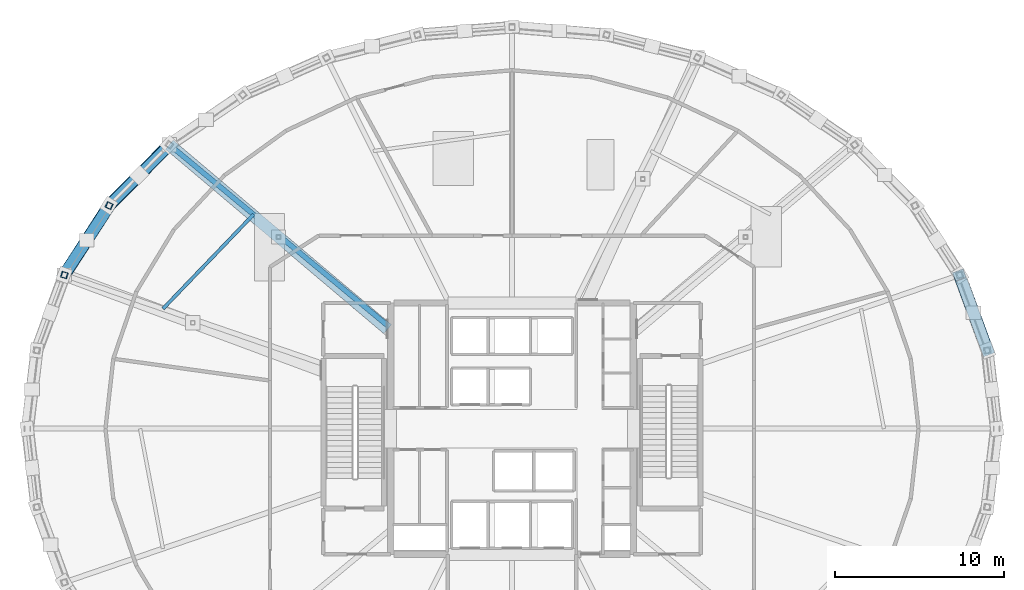
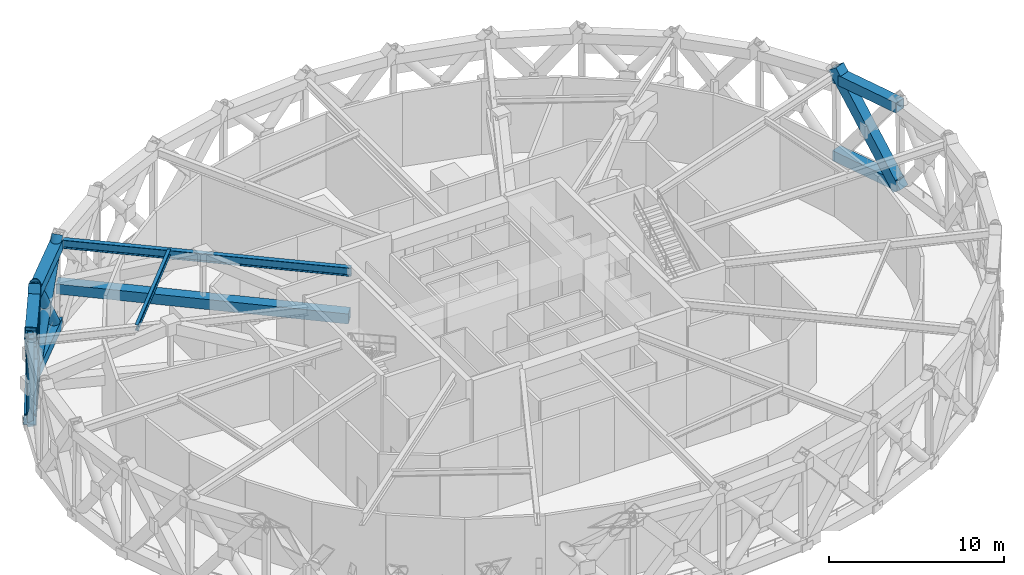
# One storey, part 4 of 15: 9 beams, 9 members.
"""IFC4 building model written with IfcOpenShell, lengths in metres."""

import ifcopenshell
import ifcopenshell.guid

model = None  # the IFC model being written
_history = None  # IfcOwnerHistory: only IFC2X3 demands one
_inside = {}  # id of a spatial element -> (the spatial element, [elements in it])
_under = {}  # id of a project, library or spatial element -> (it, [spatial elements below it])
_declared = {}  # id of a project -> (the project, [libraries it declares])
_typed = {}  # id of a type object -> (the type object, [elements of that type])
_made_of = {}  # id of a material, layer set ... -> (it, [elements and type objects made of it])


def new_model(schema):
    """Start an empty IFC model of exactly this schema.

    Asked for "IFC4X3", IfcOpenShell would pick the latest addendum, in which some entities
    have other attributes; the version numbers below select the first issue.
    IFC2X3 requires an IfcOwnerHistory on every rooted entity: one is made here for all.
    """
    global model, _history
    if schema == "IFC4X3":
        model = ifcopenshell.file(schema_version=(4, 3, 0, 0))
    else:
        model = ifcopenshell.file(schema=schema)
    _inside.clear()
    _under.clear()
    _declared.clear()
    _typed.clear()
    _made_of.clear()
    _history = None
    if model.schema == "IFC2X3":
        org = make("IfcOrganization", Name="unknown")
        user = make(
            "IfcPersonAndOrganization",
            ThePerson=make("IfcPerson", FamilyName="unknown"),
            TheOrganization=org,
        )
        app = make(
            "IfcApplication",
            ApplicationDeveloper=org,
            Version="unknown",
            ApplicationFullName="unknown",
            ApplicationIdentifier="unknown",
        )
        _history = make(
            "IfcOwnerHistory",
            OwningUser=user,
            OwningApplication=app,
            ChangeAction="ADDED",
            CreationDate=0,
        )
    return model


def make(cls, **values):
    """One entity of the class cls with the attributes given. An attribute that is None is left unset."""
    return model.create_entity(
        cls, **{name: value for name, value in values.items() if value is not None}
    )


def rooted(cls, **values):
    """An entity with a GlobalId (a new one), such as an element, a storey or a relation."""
    return make(cls, GlobalId=ifcopenshell.guid.new(), OwnerHistory=_history, **values)


def si_unit(unit_type, name, prefix=None):
    """IfcSIUnit, for example si_unit("LENGTHUNIT", "METRE", prefix="MILLI")."""
    return make("IfcSIUnit", UnitType=unit_type, Prefix=prefix, Name=name)


def assignment(units):
    """IfcUnitAssignment: the units of a project."""
    return None if units is None else make("IfcUnitAssignment", Units=units)


def point(xyz):
    """IfcCartesianPoint."""
    return None if xyz is None else make("IfcCartesianPoint", Coordinates=xyz)


def direction(xyz):
    """IfcDirection."""
    return None if xyz is None else make("IfcDirection", DirectionRatios=xyz)


def frame(location, z_axis=None, x_axis=None):
    """IfcAxis2Placement3D, a coordinate frame: its origin and axes. An axis left out is left unset."""
    return make(
        "IfcAxis2Placement3D",
        Location=point(location),
        Axis=direction(z_axis),
        RefDirection=direction(x_axis),
    )


def frame_2d(location, x_axis=None):
    """IfcAxis2Placement2D, a coordinate frame in the plane: its origin and x axis."""
    return make(
        "IfcAxis2Placement2D", Location=point(location), RefDirection=direction(x_axis)
    )


def origin():
    """The frame at (0, 0, 0) with its axes left unset."""
    return frame((0.0, 0.0, 0.0))


def origin_2d():
    """The frame at (0, 0) in the plane with its x axis left unset."""
    return frame_2d((0.0, 0.0))


def place(relative_to, where):
    """IfcLocalPlacement: puts the frame where relative to a parent placement (None: the world)."""
    return make(
        "IfcLocalPlacement", PlacementRelTo=relative_to, RelativePlacement=where
    )


def context(
    kind, dimensions, precision=None, world=None, true_north=None, identifier=None
):
    """IfcGeometricRepresentationContext, for example the 3D "Model" context."""
    return make(
        "IfcGeometricRepresentationContext",
        ContextIdentifier=identifier,
        ContextType=kind,
        CoordinateSpaceDimension=dimensions,
        Precision=precision,
        WorldCoordinateSystem=world,
        TrueNorth=true_north,
    )


def subcontext(parent, identifier, kind, view, scale=None):
    """IfcGeometricRepresentationSubContext, for example "Body" below "Model"."""
    return make(
        "IfcGeometricRepresentationSubContext",
        ContextIdentifier=identifier,
        ContextType=kind,
        ParentContext=parent,
        TargetScale=scale,
        TargetView=view,
    )


def project(units=None, contexts=None):
    """IfcProject with its units and contexts."""
    return rooted(
        "IfcProject",
        Name="project",
        RepresentationContexts=contexts,
        UnitsInContext=assignment(units),
    )


def spatial(cls, under=None, at=None, **own):
    """A site, building, storey or space (cls), placed at a placement, below another one or the project."""
    s = rooted(cls, ObjectPlacement=at, **own)
    if under is not None:
        _under.setdefault(under.id(), (under, []))[1].append(s)
    return s


def profile(cls, at=None, kind="AREA", **sizes):
    """A parametric profile (cls). Its sizes go by their IFC names, for example OverallWidth=200.0."""
    return make(cls, ProfileType=kind, Position=at, **sizes)


def hollow_rectangle(**sizes):
    """IfcRectangleHollowProfileDef."""
    return profile("IfcRectangleHollowProfileDef", **sizes)


def hollow_circle(**sizes):
    """IfcCircleHollowProfileDef."""
    return profile("IfcCircleHollowProfileDef", **sizes)


def i_section(**sizes):
    """IfcIShapeProfileDef."""
    return profile("IfcIShapeProfileDef", **sizes)


def extrude(swept, where, along, depth):
    """IfcExtrudedAreaSolid: the profile swept, set in the frame where, extruded along a direction by depth."""
    return make(
        "IfcExtrudedAreaSolid",
        SweptArea=swept,
        Position=where,
        ExtrudedDirection=direction(along),
        Depth=depth,
    )


def shape(context_of_items, identifier, shape_type, items):
    """IfcShapeRepresentation: the items that make up one representation, for example the "Body"."""
    return make(
        "IfcShapeRepresentation",
        ContextOfItems=context_of_items,
        RepresentationIdentifier=identifier,
        RepresentationType=shape_type,
        Items=items,
    )


def material(Name=None, Category=None):
    """IfcMaterial."""
    return make("IfcMaterial", Name=Name, Category=Category)


def material_profile(
    of_material, cross_section, Name=None, Category=None, Priority=None
):
    """IfcMaterialProfile: a cross section and its material."""
    return make(
        "IfcMaterialProfile",
        Name=Name,
        Material=of_material,
        Profile=cross_section,
        Priority=Priority,
        Category=Category,
    )


def profile_set(profiles, Name=None, composite=None):
    """IfcMaterialProfileSet."""
    return make(
        "IfcMaterialProfileSet",
        Name=Name,
        MaterialProfiles=profiles,
        CompositeProfile=composite,
    )


def made_of(thing, what):
    """Note that an element or type object is made of a material, layer set ...; save() writes the relation."""
    if what is not None:
        _made_of.setdefault(what.id(), (what, []))[1].append(thing)
    return thing


def type_object(cls, material=None, **own):
    """A type object (cls), such as IfcWallType, which elements share."""
    return made_of(rooted(cls, **own), material)


def element(
    cls,
    number,
    at=None,
    inside=None,
    cuts=None,
    type_object=None,
    material=None,
    context=None,
    identifier="Body",
    shape_type=None,
    held_by="IfcProductDefinitionShape",
    body=None,
    shapes=None,
    **own,
):
    """One element of the class cls, such as IfcWall. Its Tag is "e" and its number.

    at: its placement. inside: the storey or other place that contains it. cuts: it is an
    opening in that element (IfcRelVoidsElement). A single representation is given by context,
    identifier, shape_type and body (its items); several are given by shapes. held_by: the class
    of the entity that holds the representations. save() writes the other relations.
    """
    e = rooted(cls, Tag="e%d" % number, ObjectPlacement=at, **own)
    if body is not None:
        shapes = [shape(context, identifier, shape_type, body)]
    if shapes is not None:
        e.Representation = make(held_by, Representations=shapes)
    if inside is not None:
        _inside.setdefault(inside.id(), (inside, []))[1].append(e)
    if cuts is not None:
        rooted(
            "IfcRelVoidsElement", RelatingBuildingElement=cuts, RelatedOpeningElement=e
        )
    if type_object is not None:
        _typed.setdefault(type_object.id(), (type_object, []))[1].append(e)
    return made_of(e, material)


def aggregate(whole, parts):
    """IfcRelAggregates: a whole, such as a stair, and the parts it consists of."""
    return rooted("IfcRelAggregates", RelatingObject=whole, RelatedObjects=parts)


def save(model, path):
    """Write the relations noted so far, then the file.

    IfcRelAggregates (storeys below a building ...), IfcRelContainedInSpatialStructure (elements
    in a storey), IfcRelDefinesByType, IfcRelAssociatesMaterial and IfcRelDeclares: one each for
    every whole, place, type object, material and project.
    """
    for whole, parts in _under.values():
        aggregate(whole, parts)
    for where, things in _inside.values():
        rooted(
            "IfcRelContainedInSpatialStructure",
            RelatedElements=things,
            RelatingStructure=where,
        )
    for kind, things in _typed.values():
        rooted("IfcRelDefinesByType", RelatedObjects=things, RelatingType=kind)
    for what, things in _made_of.values():
        rooted("IfcRelAssociatesMaterial", RelatedObjects=things, RelatingMaterial=what)
    for by, libraries in _declared.values():
        rooted("IfcRelDeclares", RelatingContext=by, RelatedDefinitions=libraries)
    model.write(path)


model = new_model("IFC4")

# Units and contexts
model_context = context("Model", 3, precision=1e-05, world=origin(), true_north=direction((0.0, 1.0)))
body_context = subcontext(model_context, "Body", "Model", "MODEL_VIEW")
ifc_project = project(units=[si_unit("LENGTHUNIT", "METRE"), si_unit("AREAUNIT", "SQUARE_METRE"), si_unit("VOLUMEUNIT", "CUBIC_METRE"), si_unit("PLANEANGLEUNIT", "RADIAN"), si_unit("MASSUNIT", "GRAM", prefix="KILO")], contexts=[model_context])

# Site, building, storey
site_placement = place(None, origin())
site = spatial("IfcSite", under=ifc_project, at=site_placement, CompositionType="ELEMENT")
building_placement = place(site_placement, origin())
building = spatial("IfcBuilding", under=site, at=building_placement, Name="Veldorina Hangang Commons", CompositionType="ELEMENT")
storey_placement = place(building_placement, frame((0.0, 0.0, 110.800048828125)))
storey = spatial("IfcBuildingStorey", under=building, at=storey_placement, Name="L28", CompositionType="ELEMENT", Elevation=110.800048828125)

# Beams
ifc_material_1 = material(Name="Steel SM460-TMC", Category="steel")
ifc_material_profile_1 = material_profile(ifc_material_1, hollow_rectangle(XDim=0.699951171875, YDim=0.699951171875, WallThickness=0.034912109375, at=origin_2d()), Name="BOX-700x700x35")
ifc_profile_set_1 = profile_set([ifc_material_profile_1], Name="Steel SM460-TMC")
beam_type_1 = type_object("IfcBeamType", Name="BM-BLT700", PredefinedType="BEAM", material=ifc_profile_set_1)
beam_1_placement = place(storey_placement, frame((60.158447265625, 28.642578125, 5.800048828125), z_axis=(-0.343688691321, 0.939083640289, 0.0), x_axis=(-0.939083640289, -0.343688691321, 0.0)))
element("IfcBeam", 1, at=beam_1_placement, inside=storey, type_object=beam_type_1, Name="L28 perimeter hoop ring beam 01", PredefinedType="BEAM", context=body_context, shape_type="SweptSolid", body=[
    extrude(hollow_rectangle(XDim=0.699951171875, YDim=0.699951171875, WallThickness=0.034912109375, at=origin_2d()), origin(), (0.0, 0.0, 1.0), 4.753662109375),
])
beam_2_placement = place(storey_placement, frame((11.69873046875, 40.8271484375, 5.800048828125), z_axis=(-0.703561848437, -0.710634030584, 0.0), x_axis=(0.710634030584, -0.703561848437, 0.0)))
element("IfcBeam", 2, at=beam_2_placement, inside=storey, type_object=beam_type_1, Name="L28 perimeter hoop ring beam 12", PredefinedType="BEAM", context=body_context, shape_type="SweptSolid", body=[
    extrude(hollow_rectangle(XDim=0.699951171875, YDim=0.699951171875, WallThickness=0.034912109375, at=origin_2d()), origin(), (0.0, 0.0, 1.0), 5.07470703125),
])
beam_3_placement = place(storey_placement, frame((8.12841796875, 37.220947265625, 5.800048828125), z_axis=(-0.541941702244, -0.840416082288, 0.0), x_axis=(0.840416082288, -0.541941702244, 0.0)))
element("IfcBeam", 3, at=beam_3_placement, inside=storey, type_object=beam_type_1, Name="L28 perimeter hoop ring beam 13", PredefinedType="BEAM", context=body_context, shape_type="SweptSolid", body=[
    extrude(hollow_rectangle(XDim=0.699951171875, YDim=0.699951171875, WallThickness=0.034912109375, at=origin_2d()), origin(), (0.0, 0.0, 1.0), 4.8955078125),
])
beam_4_placement = place(storey_placement, frame((60.19287109375, 28.6474609375, 0.349853515625), z_axis=(-0.343736030444, 0.939066313619, 0.0), x_axis=(-0.939066313619, -0.343736030444, 0.0)))
element("IfcBeam", 4, at=beam_4_placement, inside=storey, type_object=beam_type_1, Name="L28 perimeter belt truss bottom chord 01", PredefinedType="BEAM", context=body_context, shape_type="SweptSolid", body=[
    extrude(hollow_rectangle(XDim=0.699951171875, YDim=0.699951171875, WallThickness=0.034912109375, at=origin_2d()), origin(), (0.0, 0.0, 1.0), 4.7587890625),
])
beam_5_placement = place(storey_placement, frame((11.674072265625, 40.844482421875, 0.349853515625), z_axis=(-0.70366253431, -0.710534332603, 0.0), x_axis=(0.710534332603, -0.70366253431, 0.0)))
element("IfcBeam", 5, at=beam_5_placement, inside=storey, type_object=beam_type_1, Name="L28 perimeter belt truss bottom chord 12", PredefinedType="BEAM", context=body_context, shape_type="SweptSolid", body=[
    extrude(hollow_rectangle(XDim=0.699951171875, YDim=0.699951171875, WallThickness=0.034912109375, at=origin_2d()), origin(), (0.0, 0.0, 1.0), 5.08056640625),
])
beam_6_placement = place(storey_placement, frame((8.09912109375, 37.234619140625, 0.349853515625), z_axis=(-0.542013393929, -0.840369847628, 0.0), x_axis=(0.840369847628, -0.542013393929, 0.0)))
element("IfcBeam", 6, at=beam_6_placement, inside=storey, type_object=beam_type_1, Name="L28 perimeter belt truss bottom chord 13", PredefinedType="BEAM", context=body_context, shape_type="SweptSolid", body=[
    extrude(hollow_rectangle(XDim=0.699951171875, YDim=0.699951171875, WallThickness=0.034912109375, at=origin_2d()), origin(), (0.0, 0.0, 1.0), 4.900634765625),
])
beam_7_placement = place(storey_placement, frame((24.6298828125, 29.89990234375, 2.849853515625), z_axis=(-0.763858806118, 0.645383393275, 0.0), x_axis=(-0.645383393275, -0.763858806118, 0.0)))
element("IfcBeam", 7, at=beam_7_placement, inside=storey, type_object=beam_type_1, Name="L28 outrigger chord 03", PredefinedType="BEAM", context=body_context, shape_type="SweptSolid", body=[
    extrude(hollow_rectangle(XDim=0.699951171875, YDim=0.699951171875, WallThickness=0.034912109375, at=origin_2d()), origin(), (0.0, 0.0, 1.0), 16.945068359375),
])
ifc_material_profile_2 = material_profile(ifc_material_1, i_section(OverallWidth=0.300048828125, OverallDepth=0.587890625, WebThickness=0.011962890625, FlangeThickness=0.02001953125, FilletRadius=0.01806640625, at=origin_2d()), Name="H-588x300x12x20")
ifc_profile_set_2 = profile_set([ifc_material_profile_2], Name="Steel SM460-TMC")
beam_type_2 = type_object("IfcBeamType", Name="BM-FG588", PredefinedType="BEAM", material=ifc_profile_set_2)
beam_8_placement = place(storey_placement, frame((24.800048828125, 29.968017578125, 5.85595703125), z_axis=(-0.769913202831, 0.638148619137, 0.0), x_axis=(-0.638148619137, -0.769913202831, 0.0)))
element("IfcBeam", 8, at=beam_8_placement, inside=storey, type_object=beam_type_2, Name="L28 radial floor girder 07", PredefinedType="BEAM", context=body_context, shape_type="SweptSolid", body=[
    extrude(i_section(OverallWidth=0.300048828125, OverallDepth=0.587890625, WebThickness=0.011962890625, FlangeThickness=0.02001953125, FilletRadius=0.01806640625, at=origin_2d()), origin(), (0.0, 0.0, 1.0), 17.0166015625),
])
ifc_material_2 = material(Name="Steel SM355-TMC", Category="steel")
ifc_material_profile_3 = material_profile(ifc_material_2, i_section(OverallWidth=0.199951171875, OverallDepth=0.39990234375, WebThickness=0.008056640625, FlangeThickness=0.012939453125, FilletRadius=0.012939453125, at=origin_2d()), Name="H-400x200x8x13")
ifc_profile_set_3 = profile_set([ifc_material_profile_3], Name="Steel SM355-TMC")
beam_type_3 = type_object("IfcBeamType", Name="BM-JST400", PredefinedType="JOIST", material=ifc_profile_set_3)
beam_9_placement = place(storey_placement, frame((16.67724609375, 36.70068359375, 5.949951171875), z_axis=(-0.692447301293, -0.721468457336, 0.0), x_axis=(0.721468457337, -0.692447301293, 0.0)))
element("IfcBeam", 9, at=beam_9_placement, inside=storey, type_object=beam_type_3, Name="L28 secondary floor joist 07", PredefinedType="JOIST", context=body_context, shape_type="SweptSolid", body=[
    extrude(i_section(OverallWidth=0.199951171875, OverallDepth=0.39990234375, WebThickness=0.008056640625, FlangeThickness=0.012939453125, FilletRadius=0.012939453125, at=origin_2d()), origin(), (0.0, 0.0, 1.0), 7.75634765625),
])

# Members
ifc_material_profile_4 = material_profile(ifc_material_1, hollow_circle(Radius=0.324951171875, WallThickness=0.031982421875, at=origin_2d()), Name="CHS-650x32")
ifc_profile_set_4 = profile_set([ifc_material_profile_4], Name="Steel SM460-TMC")
member_type_1 = type_object("IfcMemberType", Name="DG-CHS650", PredefinedType="BRACE", material=ifc_profile_set_4)
member_1_placement = place(storey_placement, frame((11.674072265625, 40.844482421875, 0.0), z_axis=(-0.433946738808, -0.44402461428, 0.783921150239), x_axis=(0.715176258273, -0.698944146269, 0.0)))
element("IfcMember", 10, at=member_1_placement, inside=storey, type_object=member_type_1, Name="L28 continuous perimeter diagrid brace 12", PredefinedType="BRACE", context=body_context, shape_type="SweptSolid", body=[
    extrude(hollow_circle(Radius=0.324951171875, WallThickness=0.031982421875, at=origin_2d()), origin(), (0.0, 0.0, 1.0), 8.1640625),
])
member_2_placement = place(storey_placement, frame((8.09912109375, 37.234619140625, 0.0), z_axis=(0.440705770745, 0.439213471643, 0.782860108806), x_axis=(-0.705906548211, 0.708304980353, 0.0)))
element("IfcMember", 11, at=member_2_placement, inside=storey, type_object=member_type_1, Name="L28 split perimeter diagrid lower brace 13", PredefinedType="BRACE", context=body_context, shape_type="SweptSolid", body=[
    extrude(hollow_circle(Radius=0.324951171875, WallThickness=0.031982421875, at=origin_2d()), origin(), (0.0, 0.0, 1.0), 4.090087890625),
])
member_3_placement = place(storey_placement, frame((9.901611328125, 39.031005859375, 3.201904296875), z_axis=(0.440610060946, 0.439235395807, 0.782901680457), x_axis=(-0.706001140194, 0.708210696082, 0.0)))
element("IfcMember", 12, at=member_3_placement, inside=storey, type_object=member_type_1, Name="L28 split perimeter diagrid upper brace 13", PredefinedType="BRACE", context=body_context, shape_type="SweptSolid", body=[
    extrude(hollow_circle(Radius=0.324951171875, WallThickness=0.031982421875, at=origin_2d()), origin(), (0.0, 0.0, 1.0), 4.084716796875),
])
ifc_material_profile_5 = material_profile(ifc_material_1, hollow_rectangle(XDim=0.699951171875, YDim=0.699951171875, WallThickness=0.034912109375, at=origin_2d()), Name="BOX-700x700x35")
ifc_profile_set_5 = profile_set([ifc_material_profile_5], Name="Steel SM460-TMC")
member_type_2 = type_object("IfcMemberType", Name="OR-BOX700", PredefinedType="BRACE", material=ifc_profile_set_5)
member_4_placement = place(storey_placement, frame((60.19287109375, 28.6474609375, 0.0), z_axis=(-0.209561961516, 0.558903312289, 0.802315942629), x_axis=(-0.936343927261, -0.351084106563, 0.0)))
element("IfcMember", 13, at=member_4_placement, inside=storey, type_object=member_type_2, Name="L28 belt truss continuous brace 01", PredefinedType="BRACE", context=body_context, shape_type="SweptSolid", body=[
    extrude(hollow_rectangle(XDim=0.699951171875, YDim=0.699951171875, WallThickness=0.034912109375, at=origin_2d()), origin(), (0.0, 0.0, 1.0), 7.976806640625),
])
member_5_placement = place(storey_placement, frame((8.09912109375, 37.234619140625, 0.0), z_axis=(-0.325334028228, -0.512629188986, 0.794587367554), x_axis=(0.844320732997, -0.535838128385, 0.0)))
element("IfcMember", 14, at=member_5_placement, inside=storey, type_object=member_type_2, Name="L28 belt truss continuous brace 13", PredefinedType="BRACE", context=body_context, shape_type="SweptSolid", body=[
    extrude(hollow_rectangle(XDim=0.699951171875, YDim=0.699951171875, WallThickness=0.034912109375, at=origin_2d()), origin(), (0.0, 0.0, 1.0), 8.054443359375),
])
member_6_placement = place(storey_placement, frame((5.44287109375, 33.1162109375, 0.0), z_axis=(0.333445080321, 0.508821458319, 0.793671910782), x_axis=(-0.836401372289, 0.548117454961, 0.0)))
element("IfcMember", 15, at=member_6_placement, inside=storey, type_object=member_type_2, Name="L28 belt truss split lower brace 14", PredefinedType="BRACE", context=body_context, shape_type="SweptSolid", body=[
    extrude(hollow_rectangle(XDim=0.699951171875, YDim=0.699951171875, WallThickness=0.034912109375, at=origin_2d()), origin(), (0.0, 0.0, 1.0), 4.0341796875),
])
member_7_placement = place(storey_placement, frame((6.7880859375, 35.1689453125, 3.201904296875), z_axis=(0.333363330869, 0.5088910607, 0.793661626873), x_axis=(-0.836497336539, 0.547970990075, 0.0)))
element("IfcMember", 16, at=member_7_placement, inside=storey, type_object=member_type_2, Name="L28 belt truss split upper brace 14", PredefinedType="BRACE", context=body_context, shape_type="SweptSolid", body=[
    extrude(hollow_rectangle(XDim=0.699951171875, YDim=0.699951171875, WallThickness=0.034912109375, at=origin_2d()), origin(), (0.0, 0.0, 1.0), 4.029541015625),
])
ifc_material_profile_6 = material_profile(ifc_material_2, hollow_rectangle(XDim=0.35009765625, YDim=0.35009765625, WallThickness=0.01611328125, at=origin_2d()), Name="SHS-350x350x16")
ifc_profile_set_6 = profile_set([ifc_material_profile_6], Name="Steel SM355-TMC")
member_type_3 = type_object("IfcMemberType", Name="STR-SHS350", PredefinedType="STRUT", material=ifc_profile_set_6)
for number, where, z_axis, x_axis, name in (
    (17, (8.09912109375, 37.234619140625, 0.0), (0.005035399304, -0.002365111794, 0.99998452538), (0.425136471467, 0.905129261834, 0.0), "L28 perimeter ring node post 13"),
    (18, (5.44287109375, 33.1162109375, 0.0), (0.005607594835, -0.001640316856, 0.999982931975), (0.280752068438, 0.959780326985, 0.0), "L28 perimeter ring node post 14"),
):
    element("IfcMember", number, at=place(storey_placement, frame(where, z_axis=z_axis, x_axis=x_axis)), inside=storey, type_object=member_type_3, Name=name, PredefinedType="STRUT", context=body_context, shape_type="SweptSolid", body=[
        extrude(hollow_rectangle(XDim=0.35009765625, YDim=0.35009765625, WallThickness=0.01611328125, at=origin_2d()), origin(), (0.0, 0.0, 1.0), 6.39990234375),
    ])

save(model, "model.ifc")
